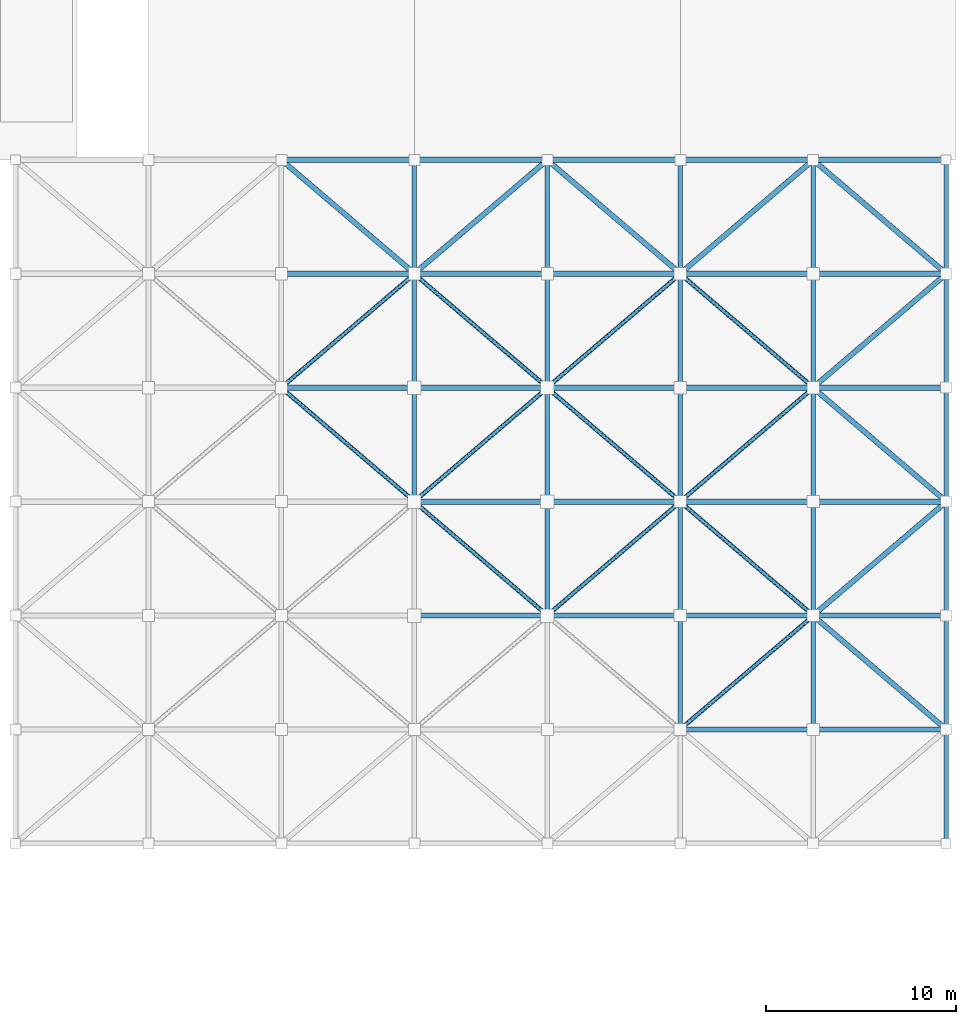
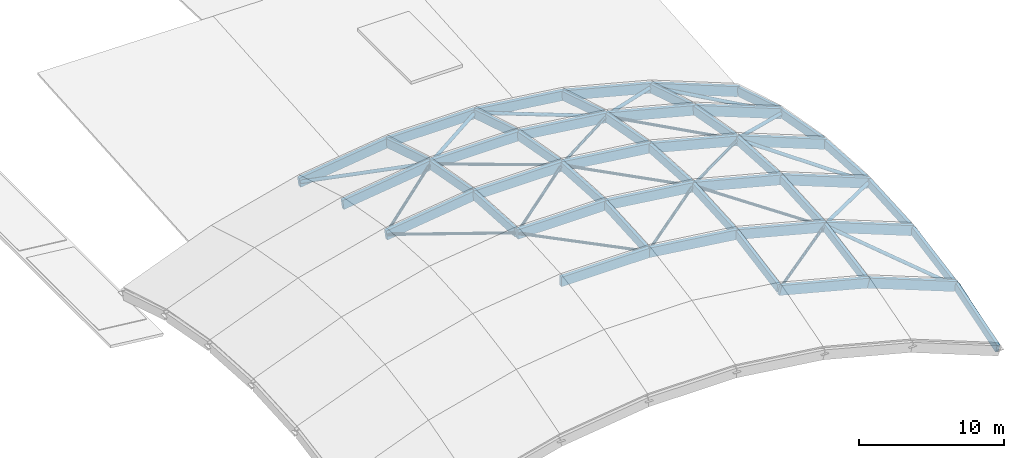
# One storey, part 2 of 11: 48 beams, 21 members.
"""IFC4 building model written with IfcOpenShell, lengths in metres."""

from ifc_helpers import new_model, si_unit, direction, frame, origin, origin_2d, place, context, subcontext, project, spatial, rectangle, hollow_circle, extrude, material, material_profile, profile_set, type_object, element, save


model = new_model("IFC4")

# Units and contexts
model_context = context("Model", 3, precision=1e-05, world=origin(), true_north=direction((0.0, 1.0)))
body_context = subcontext(model_context, "Body", "Model", "MODEL_VIEW")
ifc_project = project(units=[si_unit("LENGTHUNIT", "METRE"), si_unit("AREAUNIT", "SQUARE_METRE"), si_unit("VOLUMEUNIT", "CUBIC_METRE"), si_unit("PLANEANGLEUNIT", "RADIAN"), si_unit("MASSUNIT", "GRAM", prefix="KILO")], contexts=[model_context])

# Site, building, storey
site_placement = place(None, origin())
site = spatial("IfcSite", under=ifc_project, at=site_placement, CompositionType="ELEMENT")
building_placement = place(site_placement, origin())
building = spatial("IfcBuilding", under=site, at=building_placement, Name="Tonlespit Floodbar School", CompositionType="ELEMENT")
storey_placement = place(building_placement, frame((0.0, 0.0, 24.0)))
storey = spatial("IfcBuildingStorey", under=building, at=storey_placement, Name="RF", CompositionType="ELEMENT", Elevation=24.0)

# Beams
ifc_material_1 = material(Name="Glulam GL28h", Category="wood")
ifc_material_profile_1 = material_profile(ifc_material_1, rectangle(XDim=0.239990234375, YDim=0.719970703125, at=origin_2d()), Name="GL 240x720")
ifc_profile_set_1 = profile_set([ifc_material_profile_1], Name="Glulam GL28h")
beam_type_1 = type_object("IfcBeamType", Name="ArchRib_GL_240x720", PredefinedType="BEAM", material=ifc_profile_set_1)
beam_1_placement = place(storey_placement, frame((148.0, 38.139892578125, -6.1494140625), z_axis=(0.0, 0.998074725925, -0.062022910839), x_axis=(-1.0, 0.0, 0.0)))
element("IfcBeam", 1, at=beam_1_placement, inside=storey, type_object=beam_type_1, Name="Gridshell transverse arch rib 4-4", PredefinedType="BEAM", context=body_context, shape_type="SweptSolid", body=[
    extrude(rectangle(XDim=0.239990234375, YDim=0.719970703125, at=origin_2d()), origin(), (0.0, 0.0, 1.0), 5.731201171875),
])
beam_2_placement = place(storey_placement, frame((148.0, 44.139892578125, -6.5048828125), z_axis=(0.0, 0.983055045166, -0.183310605733), x_axis=(-1.0, 0.0, 0.0)))
element("IfcBeam", 2, at=beam_2_placement, inside=storey, type_object=beam_type_1, Name="Gridshell transverse arch rib 4-5", PredefinedType="BEAM", context=body_context, shape_type="SweptSolid", body=[
    extrude(rectangle(XDim=0.239990234375, YDim=0.719970703125, at=origin_2d()), origin(), (0.0, 0.0, 1.0), 5.81884765625),
])
beam_3_placement = place(storey_placement, frame((148.0, 50.139892578125, -7.571533203125), z_axis=(0.0, 0.954941518321, -0.296794030577), x_axis=(-1.0, 0.0, 0.0)))
element("IfcBeam", 3, at=beam_3_placement, inside=storey, type_object=beam_type_1, Name="Gridshell transverse arch rib 4-6", PredefinedType="BEAM", context=body_context, shape_type="SweptSolid", body=[
    extrude(rectangle(XDim=0.239990234375, YDim=0.719970703125, at=origin_2d()), origin(), (0.0, 0.0, 1.0), 5.990234375),
])
for number, where, z_axis, x_axis, name in (
    (4, (155.0, 32.139892578125, -6.5048828125), (0.0, 0.998074725925, 0.062022910839), (-1.0, 0.0, 0.0), "Gridshell transverse arch rib 5-3"),
    (5, (155.0, 38.139892578125, -6.1494140625), (0.0, 0.998074725925, -0.062022910839), (-1.0, 0.0, 0.0), "Gridshell transverse arch rib 5-4"),
):
    element("IfcBeam", number, at=place(storey_placement, frame(where, z_axis=z_axis, x_axis=x_axis)), inside=storey, type_object=beam_type_1, Name=name, PredefinedType="BEAM", context=body_context, shape_type="SweptSolid", body=[
        extrude(rectangle(XDim=0.239990234375, YDim=0.719970703125, at=origin_2d()), origin(), (0.0, 0.0, 1.0), 5.731201171875),
    ])
beam_4_placement = place(storey_placement, frame((155.0, 44.139892578125, -6.5048828125), z_axis=(0.0, 0.983055045166, -0.183310605733), x_axis=(-1.0, 0.0, 0.0)))
element("IfcBeam", 6, at=beam_4_placement, inside=storey, type_object=beam_type_1, Name="Gridshell transverse arch rib 5-5", PredefinedType="BEAM", context=body_context, shape_type="SweptSolid", body=[
    extrude(rectangle(XDim=0.239990234375, YDim=0.719970703125, at=origin_2d()), origin(), (0.0, 0.0, 1.0), 5.81884765625),
])
beam_5_placement = place(storey_placement, frame((155.0, 50.139892578125, -7.571533203125), z_axis=(0.0, 0.954941518321, -0.296794030577), x_axis=(-1.0, 0.0, 0.0)))
element("IfcBeam", 7, at=beam_5_placement, inside=storey, type_object=beam_type_1, Name="Gridshell transverse arch rib 5-6", PredefinedType="BEAM", context=body_context, shape_type="SweptSolid", body=[
    extrude(rectangle(XDim=0.239990234375, YDim=0.719970703125, at=origin_2d()), origin(), (0.0, 0.0, 1.0), 5.990234375),
])
beam_6_placement = place(storey_placement, frame((162.0, 26.139892578125, -8.48583984375), z_axis=(0.0, 0.983055045166, 0.183310605733), x_axis=(-1.0, 0.0, 0.0)))
element("IfcBeam", 8, at=beam_6_placement, inside=storey, type_object=beam_type_1, Name="Gridshell transverse arch rib 6-2", PredefinedType="BEAM", context=body_context, shape_type="SweptSolid", body=[
    extrude(rectangle(XDim=0.239990234375, YDim=0.719970703125, at=origin_2d()), origin(), (0.0, 0.0, 1.0), 5.81884765625),
])
for number, where, z_axis, x_axis, name in (
    (9, (162.0, 32.139892578125, -7.419189453125), (0.0, 0.998074725925, 0.062022910839), (-1.0, 0.0, 0.0), "Gridshell transverse arch rib 6-3"),
    (10, (162.0, 38.139892578125, -7.063720703125), (0.0, 0.998074725925, -0.062022910839), (-1.0, 0.0, 0.0), "Gridshell transverse arch rib 6-4"),
):
    element("IfcBeam", number, at=place(storey_placement, frame(where, z_axis=z_axis, x_axis=x_axis)), inside=storey, type_object=beam_type_1, Name=name, PredefinedType="BEAM", context=body_context, shape_type="SweptSolid", body=[
        extrude(rectangle(XDim=0.239990234375, YDim=0.719970703125, at=origin_2d()), origin(), (0.0, 0.0, 1.0), 5.731201171875),
    ])
beam_7_placement = place(storey_placement, frame((162.0, 44.139892578125, -7.419189453125), z_axis=(0.0, 0.983055045166, -0.183310605733), x_axis=(-1.0, 0.0, 0.0)))
element("IfcBeam", 11, at=beam_7_placement, inside=storey, type_object=beam_type_1, Name="Gridshell transverse arch rib 6-5", PredefinedType="BEAM", context=body_context, shape_type="SweptSolid", body=[
    extrude(rectangle(XDim=0.239990234375, YDim=0.719970703125, at=origin_2d()), origin(), (0.0, 0.0, 1.0), 5.81884765625),
])
beam_8_placement = place(storey_placement, frame((162.0, 50.139892578125, -8.48583984375), z_axis=(0.0, 0.954941518321, -0.296794030577), x_axis=(-1.0, 0.0, 0.0)))
element("IfcBeam", 12, at=beam_8_placement, inside=storey, type_object=beam_type_1, Name="Gridshell transverse arch rib 6-6", PredefinedType="BEAM", context=body_context, shape_type="SweptSolid", body=[
    extrude(rectangle(XDim=0.239990234375, YDim=0.719970703125, at=origin_2d()), origin(), (0.0, 0.0, 1.0), 5.990234375),
])
beam_9_placement = place(storey_placement, frame((169.0, 26.139892578125, -10.314453125), z_axis=(0.0, 0.983055045166, 0.183310605733), x_axis=(-1.0, 0.0, 0.0)))
element("IfcBeam", 13, at=beam_9_placement, inside=storey, type_object=beam_type_1, Name="Gridshell transverse arch rib 7-2", PredefinedType="BEAM", context=body_context, shape_type="SweptSolid", body=[
    extrude(rectangle(XDim=0.239990234375, YDim=0.719970703125, at=origin_2d()), origin(), (0.0, 0.0, 1.0), 5.81884765625),
])
for number, where, z_axis, x_axis, name in (
    (14, (169.0, 32.139892578125, -9.247802734375), (0.0, 0.998072088056, 0.062065344955), (-1.0, 0.0, 0.0), "Gridshell transverse arch rib 7-3"),
    (15, (169.0, 38.139892578125, -8.89208984375), (0.0, 0.998072088056, -0.062065344955), (-1.0, 0.0, 0.0), "Gridshell transverse arch rib 7-4"),
):
    element("IfcBeam", number, at=place(storey_placement, frame(where, z_axis=z_axis, x_axis=x_axis)), inside=storey, type_object=beam_type_1, Name=name, PredefinedType="BEAM", context=body_context, shape_type="SweptSolid", body=[
        extrude(rectangle(XDim=0.239990234375, YDim=0.719970703125, at=origin_2d()), origin(), (0.0, 0.0, 1.0), 5.731201171875),
    ])
beam_10_placement = place(storey_placement, frame((169.0, 44.139892578125, -9.247802734375), z_axis=(0.0, 0.983055045166, -0.183310605733), x_axis=(-1.0, 0.0, 0.0)))
element("IfcBeam", 16, at=beam_10_placement, inside=storey, type_object=beam_type_1, Name="Gridshell transverse arch rib 7-5", PredefinedType="BEAM", context=body_context, shape_type="SweptSolid", body=[
    extrude(rectangle(XDim=0.239990234375, YDim=0.719970703125, at=origin_2d()), origin(), (0.0, 0.0, 1.0), 5.81884765625),
])
beam_11_placement = place(storey_placement, frame((169.0, 50.139892578125, -10.314453125), z_axis=(0.0, 0.954953069186, -0.296756862857), x_axis=(-1.0, 0.0, 0.0)))
element("IfcBeam", 17, at=beam_11_placement, inside=storey, type_object=beam_type_1, Name="Gridshell transverse arch rib 7-6", PredefinedType="BEAM", context=body_context, shape_type="SweptSolid", body=[
    extrude(rectangle(XDim=0.239990234375, YDim=0.719970703125, at=origin_2d()), origin(), (0.0, 0.0, 1.0), 5.989990234375),
])
beam_12_placement = place(storey_placement, frame((176.0, 20.139892578125, -14.8349609375), z_axis=(0.0, 0.954941518321, 0.296794030577), x_axis=(-1.0, 0.0, 0.0)))
element("IfcBeam", 18, at=beam_12_placement, inside=storey, type_object=beam_type_1, Name="Gridshell transverse arch rib 8-1", PredefinedType="BEAM", context=body_context, shape_type="SweptSolid", body=[
    extrude(rectangle(XDim=0.239990234375, YDim=0.719970703125, at=origin_2d()), origin(), (0.0, 0.0, 1.0), 5.990234375),
])
beam_13_placement = place(storey_placement, frame((176.0, 26.139892578125, -13.05712890625), z_axis=(0.0, 0.983055045166, 0.183310605733), x_axis=(-1.0, 0.0, 0.0)))
element("IfcBeam", 19, at=beam_13_placement, inside=storey, type_object=beam_type_1, Name="Gridshell transverse arch rib 8-2", PredefinedType="BEAM", context=body_context, shape_type="SweptSolid", body=[
    extrude(rectangle(XDim=0.239990234375, YDim=0.719970703125, at=origin_2d()), origin(), (0.0, 0.0, 1.0), 5.81884765625),
])
for number, where, z_axis, x_axis, name in (
    (20, (176.0, 32.139892578125, -11.990478515625), (0.0, 0.998074725925, 0.062022910839), (-1.0, 0.0, 0.0), "Gridshell transverse arch rib 8-3"),
    (21, (176.0, 38.139892578125, -11.635009765625), (0.0, 0.998074725925, -0.062022910839), (-1.0, 0.0, 0.0), "Gridshell transverse arch rib 8-4"),
):
    element("IfcBeam", number, at=place(storey_placement, frame(where, z_axis=z_axis, x_axis=x_axis)), inside=storey, type_object=beam_type_1, Name=name, PredefinedType="BEAM", context=body_context, shape_type="SweptSolid", body=[
        extrude(rectangle(XDim=0.239990234375, YDim=0.719970703125, at=origin_2d()), origin(), (0.0, 0.0, 1.0), 5.731201171875),
    ])
beam_14_placement = place(storey_placement, frame((176.0, 44.139892578125, -11.990478515625), z_axis=(0.0, 0.983055045166, -0.183310605733), x_axis=(-1.0, 0.0, 0.0)))
element("IfcBeam", 22, at=beam_14_placement, inside=storey, type_object=beam_type_1, Name="Gridshell transverse arch rib 8-5", PredefinedType="BEAM", context=body_context, shape_type="SweptSolid", body=[
    extrude(rectangle(XDim=0.239990234375, YDim=0.719970703125, at=origin_2d()), origin(), (0.0, 0.0, 1.0), 5.81884765625),
])
beam_15_placement = place(storey_placement, frame((176.0, 50.139892578125, -13.05712890625), z_axis=(0.0, 0.954941518321, -0.296794030577), x_axis=(-1.0, 0.0, 0.0)))
element("IfcBeam", 23, at=beam_15_placement, inside=storey, type_object=beam_type_1, Name="Gridshell transverse arch rib 8-6", PredefinedType="BEAM", context=body_context, shape_type="SweptSolid", body=[
    extrude(rectangle(XDim=0.239990234375, YDim=0.719970703125, at=origin_2d()), origin(), (0.0, 0.0, 1.0), 5.990234375),
])
ifc_material_profile_2 = material_profile(ifc_material_1, rectangle(XDim=0.280029296875, YDim=0.800048828125, at=origin_2d()), Name="GL 280x800")
ifc_profile_set_2 = profile_set([ifc_material_profile_2], Name="Glulam GL28h")
beam_type_2 = type_object("IfcBeamType", Name="ArchRib_GL_280x800", PredefinedType="BEAM", material=ifc_profile_set_2)
beam_16_placement = place(storey_placement, frame((162.0, 26.0, -8.52587890625), z_axis=(0.967531929332, 0.0, -0.25274881943), x_axis=(0.0, 1.0, 0.0)))
element("IfcBeam", 24, at=beam_16_placement, inside=storey, type_object=beam_type_2, Name="Gridshell longitudinal arch rib 2-6", PredefinedType="BEAM", context=body_context, shape_type="SweptSolid", body=[
    extrude(rectangle(XDim=0.280029296875, YDim=0.800048828125, at=origin_2d()), origin(), (0.0, 0.0, 1.0), 7.23486328125),
])
beam_17_placement = place(storey_placement, frame((169.0, 26.0, -10.3544921875), z_axis=(0.931082664336, 0.0, -0.364808267688), x_axis=(0.0, 1.0, 0.0)))
element("IfcBeam", 25, at=beam_17_placement, inside=storey, type_object=beam_type_2, Name="Gridshell longitudinal arch rib 2-7", PredefinedType="BEAM", context=body_context, shape_type="SweptSolid", body=[
    extrude(rectangle(XDim=0.280029296875, YDim=0.800048828125, at=origin_2d()), origin(), (0.0, 0.0, 1.0), 7.51806640625),
])
beam_18_placement = place(storey_placement, frame((148.0, 32.0, -6.544921875), z_axis=(1.0, 0.0, 0.0), x_axis=(0.0, 1.0, 0.0)))
element("IfcBeam", 26, at=beam_18_placement, inside=storey, type_object=beam_type_2, Name="Gridshell longitudinal arch rib 3-4", PredefinedType="BEAM", context=body_context, shape_type="SweptSolid", body=[
    extrude(rectangle(XDim=0.280029296875, YDim=0.800048828125, at=origin_2d()), origin(), (0.0, 0.0, 1.0), 7.0),
])
beam_19_placement = place(storey_placement, frame((155.0, 32.0, -6.544921875), z_axis=(0.991581887857, 0.0, -0.129481117053), x_axis=(0.0, 1.0, 0.0)))
element("IfcBeam", 27, at=beam_19_placement, inside=storey, type_object=beam_type_2, Name="Gridshell longitudinal arch rib 3-5", PredefinedType="BEAM", context=body_context, shape_type="SweptSolid", body=[
    extrude(rectangle(XDim=0.280029296875, YDim=0.800048828125, at=origin_2d()), origin(), (0.0, 0.0, 1.0), 7.059326171875),
])
beam_20_placement = place(storey_placement, frame((162.0, 32.0, -7.458984375), z_axis=(0.967531929332, 0.0, -0.25274881943), x_axis=(0.0, 1.0, 0.0)))
element("IfcBeam", 28, at=beam_20_placement, inside=storey, type_object=beam_type_2, Name="Gridshell longitudinal arch rib 3-6", PredefinedType="BEAM", context=body_context, shape_type="SweptSolid", body=[
    extrude(rectangle(XDim=0.280029296875, YDim=0.800048828125, at=origin_2d()), origin(), (0.0, 0.0, 1.0), 7.23486328125),
])
beam_21_placement = place(storey_placement, frame((169.0, 32.0, -9.28759765625), z_axis=(0.931071633846, 0.0, -0.364836419024), x_axis=(0.0, 1.0, 0.0)))
element("IfcBeam", 29, at=beam_21_placement, inside=storey, type_object=beam_type_2, Name="Gridshell longitudinal arch rib 3-7", PredefinedType="BEAM", context=body_context, shape_type="SweptSolid", body=[
    extrude(rectangle(XDim=0.280029296875, YDim=0.800048828125, at=origin_2d()), origin(), (0.0, 0.0, 1.0), 7.518310546875),
])
beam_22_placement = place(storey_placement, frame((148.0, 38.0, -6.189208984375), z_axis=(1.0, 0.0, 0.0), x_axis=(0.0, 1.0, 0.0)))
element("IfcBeam", 30, at=beam_22_placement, inside=storey, type_object=beam_type_2, Name="Gridshell longitudinal arch rib 4-4", PredefinedType="BEAM", context=body_context, shape_type="SweptSolid", body=[
    extrude(rectangle(XDim=0.280029296875, YDim=0.800048828125, at=origin_2d()), origin(), (0.0, 0.0, 1.0), 7.0),
])
beam_23_placement = place(storey_placement, frame((155.0, 38.0, -6.189208984375), z_axis=(0.991577447063, 0.0, -0.129515120649), x_axis=(0.0, 1.0, 0.0)))
element("IfcBeam", 31, at=beam_23_placement, inside=storey, type_object=beam_type_2, Name="Gridshell longitudinal arch rib 4-5", PredefinedType="BEAM", context=body_context, shape_type="SweptSolid", body=[
    extrude(rectangle(XDim=0.280029296875, YDim=0.800048828125, at=origin_2d()), origin(), (0.0, 0.0, 1.0), 7.0595703125),
])
beam_24_placement = place(storey_placement, frame((162.0, 38.0, -7.103515625), z_axis=(0.967531929332, 0.0, -0.25274881943), x_axis=(0.0, 1.0, 0.0)))
element("IfcBeam", 32, at=beam_24_placement, inside=storey, type_object=beam_type_2, Name="Gridshell longitudinal arch rib 4-6", PredefinedType="BEAM", context=body_context, shape_type="SweptSolid", body=[
    extrude(rectangle(XDim=0.280029296875, YDim=0.800048828125, at=origin_2d()), origin(), (0.0, 0.0, 1.0), 7.23486328125),
])
beam_25_placement = place(storey_placement, frame((169.0, 38.0, -8.93212890625), z_axis=(0.931071633846, 0.0, -0.364836419024), x_axis=(0.0, 1.0, 0.0)))
element("IfcBeam", 33, at=beam_25_placement, inside=storey, type_object=beam_type_2, Name="Gridshell longitudinal arch rib 4-7", PredefinedType="BEAM", context=body_context, shape_type="SweptSolid", body=[
    extrude(rectangle(XDim=0.280029296875, YDim=0.800048828125, at=origin_2d()), origin(), (0.0, 0.0, 1.0), 7.518310546875),
])
beam_26_placement = place(storey_placement, frame((141.0, 44.0, -7.458984375), z_axis=(0.991581887857, 0.0, 0.129481117053), x_axis=(0.0, 1.0, 0.0)))
element("IfcBeam", 34, at=beam_26_placement, inside=storey, type_object=beam_type_2, Name="Gridshell longitudinal arch rib 5-3", PredefinedType="BEAM", context=body_context, shape_type="SweptSolid", body=[
    extrude(rectangle(XDim=0.280029296875, YDim=0.800048828125, at=origin_2d()), origin(), (0.0, 0.0, 1.0), 7.059326171875),
])
beam_27_placement = place(storey_placement, frame((148.0, 44.0, -6.544921875), z_axis=(1.0, 0.0, 0.0), x_axis=(0.0, 1.0, 0.0)))
element("IfcBeam", 35, at=beam_27_placement, inside=storey, type_object=beam_type_2, Name="Gridshell longitudinal arch rib 5-4", PredefinedType="BEAM", context=body_context, shape_type="SweptSolid", body=[
    extrude(rectangle(XDim=0.280029296875, YDim=0.800048828125, at=origin_2d()), origin(), (0.0, 0.0, 1.0), 7.0),
])
beam_28_placement = place(storey_placement, frame((155.0, 44.0, -6.544921875), z_axis=(0.991581887857, 0.0, -0.129481117053), x_axis=(0.0, 1.0, 0.0)))
element("IfcBeam", 36, at=beam_28_placement, inside=storey, type_object=beam_type_2, Name="Gridshell longitudinal arch rib 5-5", PredefinedType="BEAM", context=body_context, shape_type="SweptSolid", body=[
    extrude(rectangle(XDim=0.280029296875, YDim=0.800048828125, at=origin_2d()), origin(), (0.0, 0.0, 1.0), 7.059326171875),
])
beam_29_placement = place(storey_placement, frame((162.0, 44.0, -7.458984375), z_axis=(0.967531929332, 0.0, -0.25274881943), x_axis=(0.0, 1.0, 0.0)))
element("IfcBeam", 37, at=beam_29_placement, inside=storey, type_object=beam_type_2, Name="Gridshell longitudinal arch rib 5-6", PredefinedType="BEAM", context=body_context, shape_type="SweptSolid", body=[
    extrude(rectangle(XDim=0.280029296875, YDim=0.800048828125, at=origin_2d()), origin(), (0.0, 0.0, 1.0), 7.23486328125),
])
beam_30_placement = place(storey_placement, frame((169.0, 44.0, -9.28759765625), z_axis=(0.931071633846, 0.0, -0.364836419024), x_axis=(0.0, 1.0, 0.0)))
element("IfcBeam", 38, at=beam_30_placement, inside=storey, type_object=beam_type_2, Name="Gridshell longitudinal arch rib 5-7", PredefinedType="BEAM", context=body_context, shape_type="SweptSolid", body=[
    extrude(rectangle(XDim=0.280029296875, YDim=0.800048828125, at=origin_2d()), origin(), (0.0, 0.0, 1.0), 7.518310546875),
])
beam_31_placement = place(storey_placement, frame((141.0, 50.0, -8.52587890625), z_axis=(0.991577447063, 0.0, 0.129515120649), x_axis=(0.0, 1.0, 0.0)))
element("IfcBeam", 39, at=beam_31_placement, inside=storey, type_object=beam_type_2, Name="Gridshell longitudinal arch rib 6-3", PredefinedType="BEAM", context=body_context, shape_type="SweptSolid", body=[
    extrude(rectangle(XDim=0.280029296875, YDim=0.800048828125, at=origin_2d()), origin(), (0.0, 0.0, 1.0), 7.0595703125),
])
beam_32_placement = place(storey_placement, frame((148.0, 50.0, -7.611572265625), z_axis=(1.0, 0.0, 0.0), x_axis=(0.0, 1.0, 0.0)))
element("IfcBeam", 40, at=beam_32_placement, inside=storey, type_object=beam_type_2, Name="Gridshell longitudinal arch rib 6-4", PredefinedType="BEAM", context=body_context, shape_type="SweptSolid", body=[
    extrude(rectangle(XDim=0.280029296875, YDim=0.800048828125, at=origin_2d()), origin(), (0.0, 0.0, 1.0), 7.0),
])
beam_33_placement = place(storey_placement, frame((155.0, 50.0, -7.611572265625), z_axis=(0.991577447063, 0.0, -0.129515120649), x_axis=(0.0, 1.0, 0.0)))
element("IfcBeam", 41, at=beam_33_placement, inside=storey, type_object=beam_type_2, Name="Gridshell longitudinal arch rib 6-5", PredefinedType="BEAM", context=body_context, shape_type="SweptSolid", body=[
    extrude(rectangle(XDim=0.280029296875, YDim=0.800048828125, at=origin_2d()), origin(), (0.0, 0.0, 1.0), 7.0595703125),
])
beam_34_placement = place(storey_placement, frame((162.0, 50.0, -8.52587890625), z_axis=(0.967531929332, 0.0, -0.25274881943), x_axis=(0.0, 1.0, 0.0)))
element("IfcBeam", 42, at=beam_34_placement, inside=storey, type_object=beam_type_2, Name="Gridshell longitudinal arch rib 6-6", PredefinedType="BEAM", context=body_context, shape_type="SweptSolid", body=[
    extrude(rectangle(XDim=0.280029296875, YDim=0.800048828125, at=origin_2d()), origin(), (0.0, 0.0, 1.0), 7.23486328125),
])
beam_35_placement = place(storey_placement, frame((169.0, 50.0, -10.3544921875), z_axis=(0.931082664336, 0.0, -0.364808267688), x_axis=(0.0, 1.0, 0.0)))
element("IfcBeam", 43, at=beam_35_placement, inside=storey, type_object=beam_type_2, Name="Gridshell longitudinal arch rib 6-7", PredefinedType="BEAM", context=body_context, shape_type="SweptSolid", body=[
    extrude(rectangle(XDim=0.280029296875, YDim=0.800048828125, at=origin_2d()), origin(), (0.0, 0.0, 1.0), 7.51806640625),
])
beam_36_placement = place(storey_placement, frame((141.0, 56.0, -10.3037109375), z_axis=(0.991577447063, 0.0, 0.129515120649), x_axis=(0.0, 1.0, 0.0)))
element("IfcBeam", 44, at=beam_36_placement, inside=storey, type_object=beam_type_2, Name="Gridshell longitudinal arch rib 7-3", PredefinedType="BEAM", context=body_context, shape_type="SweptSolid", body=[
    extrude(rectangle(XDim=0.280029296875, YDim=0.800048828125, at=origin_2d()), origin(), (0.0, 0.0, 1.0), 7.0595703125),
])
beam_37_placement = place(storey_placement, frame((148.0, 56.0, -9.389404296875), z_axis=(1.0, 0.0, 0.0), x_axis=(0.0, 1.0, 0.0)))
element("IfcBeam", 45, at=beam_37_placement, inside=storey, type_object=beam_type_2, Name="Gridshell longitudinal arch rib 7-4", PredefinedType="BEAM", context=body_context, shape_type="SweptSolid", body=[
    extrude(rectangle(XDim=0.280029296875, YDim=0.800048828125, at=origin_2d()), origin(), (0.0, 0.0, 1.0), 7.0),
])
beam_38_placement = place(storey_placement, frame((155.0, 56.0, -9.389404296875), z_axis=(0.991577447063, 0.0, -0.129515120649), x_axis=(0.0, 1.0, 0.0)))
element("IfcBeam", 46, at=beam_38_placement, inside=storey, type_object=beam_type_2, Name="Gridshell longitudinal arch rib 7-5", PredefinedType="BEAM", context=body_context, shape_type="SweptSolid", body=[
    extrude(rectangle(XDim=0.280029296875, YDim=0.800048828125, at=origin_2d()), origin(), (0.0, 0.0, 1.0), 7.0595703125),
])
beam_39_placement = place(storey_placement, frame((162.0, 56.0, -10.3037109375), z_axis=(0.967540180935, 0.0, -0.252717229877), x_axis=(0.0, 1.0, 0.0)))
element("IfcBeam", 47, at=beam_39_placement, inside=storey, type_object=beam_type_2, Name="Gridshell longitudinal arch rib 7-6", PredefinedType="BEAM", context=body_context, shape_type="SweptSolid", body=[
    extrude(rectangle(XDim=0.280029296875, YDim=0.800048828125, at=origin_2d()), origin(), (0.0, 0.0, 1.0), 7.23486328125),
])
beam_40_placement = place(storey_placement, frame((169.0, 56.0, -12.132080078125), z_axis=(0.931071633846, 0.0, -0.364836419024), x_axis=(0.0, 1.0, 0.0)))
element("IfcBeam", 48, at=beam_40_placement, inside=storey, type_object=beam_type_2, Name="Gridshell longitudinal arch rib 7-7", PredefinedType="BEAM", context=body_context, shape_type="SweptSolid", body=[
    extrude(rectangle(XDim=0.280029296875, YDim=0.800048828125, at=origin_2d()), origin(), (0.0, 0.0, 1.0), 7.518310546875),
])

# Members
ifc_material_2 = material(Name="Steel S355", Category="steel")
ifc_material_profile_3 = material_profile(ifc_material_2, hollow_circle(Radius=0.109619140625, WallThickness=0.008056640625, at=origin_2d()), Name="CHS 219.1x8")
ifc_profile_set_3 = profile_set([ifc_material_profile_3], Name="Steel S355")
member_type_1 = type_object("IfcMemberType", Name="Diag_STL_CHS219", PredefinedType="BRACE", material=ifc_profile_set_3)
member_1_placement = place(storey_placement, frame((141.10009765625, 43.89990234375, -7.4140625), z_axis=(0.753270894891, -0.642492581467, 0.1406635762), x_axis=(0.648944745728, 0.760835538728, 0.0)))
element("IfcMember", 49, at=member_1_placement, inside=storey, type_object=member_type_1, Name="Gridshell diagonal brace 3-4", PredefinedType="BRACE", context=body_context, shape_type="SweptSolid", body=[
    extrude(hollow_circle(Radius=0.109619140625, WallThickness=0.008056640625, at=origin_2d()), origin(), (0.0, 0.0, 1.0), 9.027099609375),
])
member_2_placement = place(storey_placement, frame((141.10009765625, 44.10009765625, -7.4140625), z_axis=(0.760725028073, 0.648850487107, -0.0170433871), x_axis=(-0.648944745728, 0.760835538728, 0.0)))
element("IfcMember", 50, at=member_2_placement, inside=storey, type_object=member_type_1, Name="Gridshell diagonal brace 3-5", PredefinedType="BRACE", context=body_context, shape_type="SweptSolid", body=[
    extrude(hollow_circle(Radius=0.109619140625, WallThickness=0.008056640625, at=origin_2d()), origin(), (0.0, 0.0, 1.0), 8.9384765625),
])
for number, where, z_axis, x_axis, name in (
    (51, (148.10009765625, 37.89990234375, -6.144287109375), (0.760234451565, -0.648432056276, -0.039742257701), (0.648944745728, 0.760835538728, 0.0), "Gridshell diagonal brace 4-3"),
    (52, (148.10009765625, 38.10009765625, -6.144287109375), (0.760234451565, 0.648432056276, -0.039742257701), (-0.648944745728, 0.760835538728, 0.0), "Gridshell diagonal brace 4-4"),
):
    element("IfcMember", number, at=place(storey_placement, frame(where, z_axis=z_axis, x_axis=x_axis)), inside=storey, type_object=member_type_1, Name=name, PredefinedType="BRACE", context=body_context, shape_type="SweptSolid", body=[
        extrude(hollow_circle(Radius=0.109619140625, WallThickness=0.008056640625, at=origin_2d()), origin(), (0.0, 0.0, 1.0), 8.9443359375),
    ])
member_3_placement = place(storey_placement, frame((148.10009765625, 49.89990234375, -7.56640625), z_axis=(0.755474065624, -0.644371747198, 0.118507331348), x_axis=(0.648944745728, 0.760835538728, 0.0)))
element("IfcMember", 53, at=member_3_placement, inside=storey, type_object=member_type_1, Name="Gridshell diagonal brace 4-5", PredefinedType="BRACE", context=body_context, shape_type="SweptSolid", body=[
    extrude(hollow_circle(Radius=0.109619140625, WallThickness=0.008056640625, at=origin_2d()), origin(), (0.0, 0.0, 1.0), 9.000732421875),
])
for number, where, z_axis, x_axis, name in (
    (54, (155.10009765625, 32.10009765625, -6.499755859375), (0.759352508703, 0.647679814618, -0.062406932803), (-0.648944745728, 0.760835538728, 0.0), "Gridshell diagonal brace 5-3"),
    (55, (155.10009765625, 43.89990234375, -6.499755859375), (0.759352508703, -0.647679814618, -0.062406932803), (0.648944745728, 0.760835538728, 0.0), "Gridshell diagonal brace 5-4"),
):
    element("IfcMember", number, at=place(storey_placement, frame(where, z_axis=z_axis, x_axis=x_axis)), inside=storey, type_object=member_type_1, Name=name, PredefinedType="BRACE", context=body_context, shape_type="SweptSolid", body=[
        extrude(hollow_circle(Radius=0.109619140625, WallThickness=0.008056640625, at=origin_2d()), origin(), (0.0, 0.0, 1.0), 8.954833984375),
    ])
member_4_placement = place(storey_placement, frame((155.10009765625, 44.10009765625, -6.499755859375), z_axis=(0.742807574318, 0.633568028705, -0.216398845972), x_axis=(-0.648944745728, 0.760835538728, 0.0)))
element("IfcMember", 56, at=member_4_placement, inside=storey, type_object=member_type_1, Name="Gridshell diagonal brace 5-5", PredefinedType="BRACE", context=body_context, shape_type="SweptSolid", body=[
    extrude(hollow_circle(Radius=0.109619140625, WallThickness=0.008056640625, at=origin_2d()), origin(), (0.0, 0.0, 1.0), 9.154296875),
])
member_5_placement = place(storey_placement, frame((162.10009765625, 26.10009765625, -8.480712890625), z_axis=(0.758085382118, 0.64659903553, -0.084948458911), x_axis=(-0.648944745728, 0.760835538728, 0.0)))
element("IfcMember", 57, at=member_5_placement, inside=storey, type_object=member_type_1, Name="Gridshell diagonal brace 6-2", PredefinedType="BRACE", context=body_context, shape_type="SweptSolid", body=[
    extrude(hollow_circle(Radius=0.109619140625, WallThickness=0.008056640625, at=origin_2d()), origin(), (0.0, 0.0, 1.0), 8.9697265625),
])
for number, where, z_axis, x_axis, name in (
    (58, (162.10009765625, 37.89990234375, -7.05859375), (0.739086098079, -0.630393844103, -0.237392798844), (0.648944745728, 0.760835538728, 0.0), "Gridshell diagonal brace 6-3"),
    (59, (162.10009765625, 38.10009765625, -7.05859375), (0.739086098079, 0.630393844103, -0.237392798844), (-0.648944745728, 0.760835538728, 0.0), "Gridshell diagonal brace 6-4"),
):
    element("IfcMember", number, at=place(storey_placement, frame(where, z_axis=z_axis, x_axis=x_axis)), inside=storey, type_object=member_type_1, Name=name, PredefinedType="BRACE", context=body_context, shape_type="SweptSolid", body=[
        extrude(hollow_circle(Radius=0.109619140625, WallThickness=0.008056640625, at=origin_2d()), origin(), (0.0, 0.0, 1.0), 9.2001953125),
    ])
member_6_placement = place(storey_placement, frame((162.10009765625, 49.89990234375, -8.480712890625), z_axis=(0.758085382118, -0.64659903553, -0.084948458911), x_axis=(0.648944745728, 0.760835538728, 0.0)))
element("IfcMember", 60, at=member_6_placement, inside=storey, type_object=member_type_1, Name="Gridshell diagonal brace 6-5", PredefinedType="BRACE", context=body_context, shape_type="SweptSolid", body=[
    extrude(hollow_circle(Radius=0.109619140625, WallThickness=0.008056640625, at=origin_2d()), origin(), (0.0, 0.0, 1.0), 8.9697265625),
])
ifc_material_profile_4 = material_profile(ifc_material_2, hollow_circle(Radius=0.136474609375, WallThickness=0.010009765625, at=origin_2d()), Name="CHS 273x10")
ifc_profile_set_4 = profile_set([ifc_material_profile_4], Name="Steel S355")
member_type_2 = type_object("IfcMemberType", Name="Diag_STL_CHS273", PredefinedType="BRACE", material=ifc_profile_set_4)
member_7_placement = place(storey_placement, frame((141.10009765625, 55.89990234375, -10.258544921875), z_axis=(0.72850209215, -0.621366354341, 0.288424262894), x_axis=(0.648944745728, 0.760835538728, 0.0)))
element("IfcMember", 61, at=member_7_placement, inside=storey, type_object=member_type_2, Name="Gridshell diagonal brace 3-6", PredefinedType="BRACE", context=body_context, shape_type="SweptSolid", body=[
    extrude(hollow_circle(Radius=0.136474609375, WallThickness=0.010009765625, at=origin_2d()), origin(), (0.0, 0.0, 1.0), 9.333984375),
])
member_8_placement = place(storey_placement, frame((148.10009765625, 50.10009765625, -7.56640625), z_axis=(0.746214773895, 0.636474155129, -0.195100387172), x_axis=(-0.648944745728, 0.760835538728, 0.0)))
element("IfcMember", 62, at=member_8_placement, inside=storey, type_object=member_type_2, Name="Gridshell diagonal brace 4-6", PredefinedType="BRACE", context=body_context, shape_type="SweptSolid", body=[
    extrude(hollow_circle(Radius=0.136474609375, WallThickness=0.010009765625, at=origin_2d()), origin(), (0.0, 0.0, 1.0), 9.1123046875),
])
member_9_placement = place(storey_placement, frame((155.10009765625, 55.89990234375, -9.34423828125), z_axis=(0.757308811429, -0.645936669694, 0.096172672197), x_axis=(0.648944745728, 0.760835538728, 0.0)))
element("IfcMember", 63, at=member_9_placement, inside=storey, type_object=member_type_2, Name="Gridshell diagonal brace 5-6", PredefinedType="BRACE", context=body_context, shape_type="SweptSolid", body=[
    extrude(hollow_circle(Radius=0.136474609375, WallThickness=0.010009765625, at=origin_2d()), origin(), (0.0, 0.0, 1.0), 8.97900390625),
])
member_10_placement = place(storey_placement, frame((162.10009765625, 50.10009765625, -8.480712890625), z_axis=(0.705556451811, 0.601795169798, -0.374209389134), x_axis=(-0.648944745728, 0.760835538728, 0.0)))
element("IfcMember", 64, at=member_10_placement, inside=storey, type_object=member_type_2, Name="Gridshell diagonal brace 6-6", PredefinedType="BRACE", context=body_context, shape_type="SweptSolid", body=[
    extrude(hollow_circle(Radius=0.136474609375, WallThickness=0.010009765625, at=origin_2d()), origin(), (0.0, 0.0, 1.0), 9.637451171875),
])
member_11_placement = place(storey_placement, frame((169.10009765625, 31.89990234375, -9.24267578125), z_axis=(0.699903664035, -0.59697369822, -0.392118942037), x_axis=(0.648944745728, 0.760835538728, 0.0)))
element("IfcMember", 65, at=member_11_placement, inside=storey, type_object=member_type_2, Name="Gridshell diagonal brace 7-2", PredefinedType="BRACE", context=body_context, shape_type="SweptSolid", body=[
    extrude(hollow_circle(Radius=0.136474609375, WallThickness=0.010009765625, at=origin_2d()), origin(), (0.0, 0.0, 1.0), 9.71533203125),
])
for number, where, z_axis, x_axis, name in (
    (66, (169.10009765625, 32.10009765625, -9.24267578125), (0.735065329904, 0.62696438235, -0.258059342087), (-0.648944745728, 0.760835538728, 0.0), "Gridshell diagonal brace 7-3"),
    (67, (169.10009765625, 43.89990234375, -9.24267578125), (0.735065329904, -0.62696438235, -0.258059342087), (0.648944745728, 0.760835538728, 0.0), "Gridshell diagonal brace 7-4"),
):
    element("IfcMember", number, at=place(storey_placement, frame(where, z_axis=z_axis, x_axis=x_axis)), inside=storey, type_object=member_type_2, Name=name, PredefinedType="BRACE", context=body_context, shape_type="SweptSolid", body=[
        extrude(hollow_circle(Radius=0.136474609375, WallThickness=0.010009765625, at=origin_2d()), origin(), (0.0, 0.0, 1.0), 9.250732421875),
    ])
member_12_placement = place(storey_placement, frame((169.10009765625, 44.10009765625, -9.24267578125), z_axis=(0.699903664035, 0.59697369822, -0.392118942037), x_axis=(-0.648944745728, 0.760835538728, 0.0)))
element("IfcMember", 68, at=member_12_placement, inside=storey, type_object=member_type_2, Name="Gridshell diagonal brace 7-5", PredefinedType="BRACE", context=body_context, shape_type="SweptSolid", body=[
    extrude(hollow_circle(Radius=0.136474609375, WallThickness=0.010009765625, at=origin_2d()), origin(), (0.0, 0.0, 1.0), 9.71533203125),
])
member_13_placement = place(storey_placement, frame((169.10009765625, 55.89990234375, -12.087158203125), z_axis=(0.756438044618, -0.645193960503, -0.107360318482), x_axis=(0.648944745728, 0.760835538728, 0.0)))
element("IfcMember", 69, at=member_13_placement, inside=storey, type_object=member_type_2, Name="Gridshell diagonal brace 7-6", PredefinedType="BRACE", context=body_context, shape_type="SweptSolid", body=[
    extrude(hollow_circle(Radius=0.136474609375, WallThickness=0.010009765625, at=origin_2d()), origin(), (0.0, 0.0, 1.0), 8.9892578125),
])

save(model, "model.ifc")
